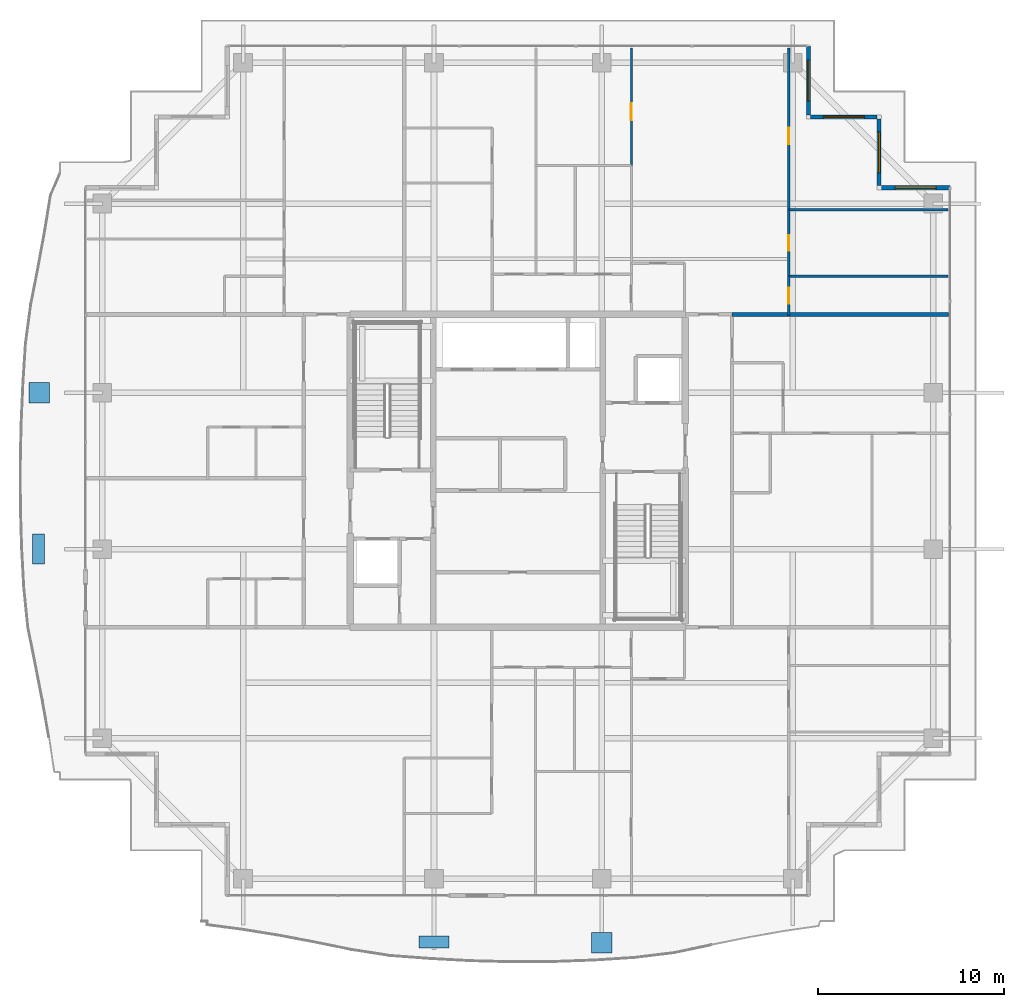
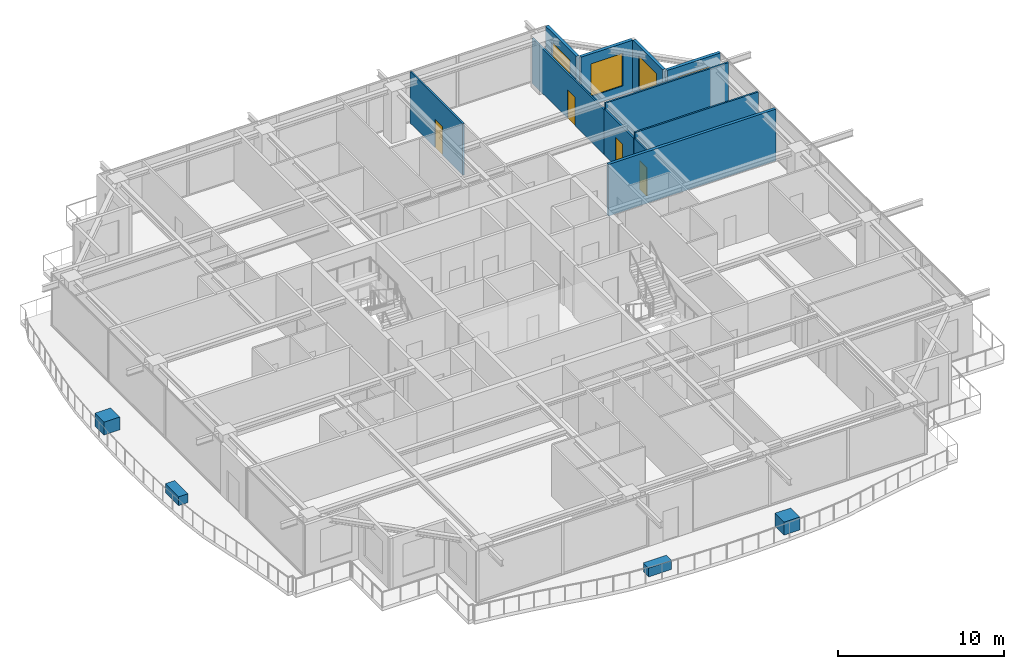
# One storey, part 30 of 37: 11 walls, 4 discrete accessories, 4 doors, 4 windows, 8 openings.
"""IFC4 building model written with IfcOpenShell, lengths in metres."""

from ifc_helpers import new_model, si_unit, direction, frame, frame_2d, origin, origin_2d, place, context, subcontext, project, spatial, rectangle, extrude, source, transform, mapped, material, layer, layer_set, type_object, element, fill, save


model = new_model("IFC4")

# Units and contexts
model_context = context("Model", 3, precision=1e-05, world=origin(), true_north=direction((0.0, 1.0)))
body_context = subcontext(model_context, "Body", "Model", "MODEL_VIEW")
ifc_project = project(units=[si_unit("LENGTHUNIT", "METRE"), si_unit("AREAUNIT", "SQUARE_METRE"), si_unit("VOLUMEUNIT", "CUBIC_METRE"), si_unit("PLANEANGLEUNIT", "RADIAN"), si_unit("MASSUNIT", "GRAM", prefix="KILO")], contexts=[model_context])

# Site, building, storey
site_placement = place(None, origin())
site = spatial("IfcSite", under=ifc_project, at=site_placement, CompositionType="ELEMENT")
building_placement = place(site_placement, origin())
building = spatial("IfcBuilding", under=site, at=building_placement, Name="Serunith Strait Residences", CompositionType="ELEMENT")
storey_placement = place(building_placement, frame((0.0, 0.0, 305.60009765625)))
storey = spatial("IfcBuildingStorey", under=building, at=storey_placement, Name="L76", CompositionType="ELEMENT", Elevation=305.60009765625)

# Wall, opening, window
ifc_material_1 = material(Name="Pale-Champagne Aluminium Insulated Panel", Category="aluminium")
ifc_layer_1 = layer(ifc_material_1, 0.219970703125, Name="Pale-Champagne Aluminium Insulated Panel")
ifc_layer_set_1 = layer_set([ifc_layer_1], Name="Pale-Champagne Aluminium Insulated Panel")
wall_type_1 = type_object("IfcWallType", Name="EW-ALUM-220", PredefinedType="ELEMENTEDWALL", material=ifc_layer_set_1)
wall_1_placement = place(storey_placement, frame((55.60009765625, 40.39990234375, 0.0), z_axis=(0.0, 0.0, 1.0), x_axis=(-1.0, 0.0, 0.0)))
wall_1 = element("IfcWall", 1, at=wall_1_placement, inside=storey, type_object=wall_type_1, Name="L76 Girih Serrated Corner Wall 07", PredefinedType="ELEMENTEDWALL", context=body_context, shape_type="SweptSolid", body=[
    extrude(rectangle(XDim=3.690185546875, YDim=0.219970703125, at=frame_2d((1.84521484375, 0.0))), origin(), (0.0, 0.0, 1.0), 3.77490234375),
])
opening_1_placement = place(wall_1_placement, frame((0.7451171875, 0.0, 0.64990234375)))
opening_1 = element("IfcOpeningElement", 2, at=opening_1_placement, cuts=wall_1, Name="Opening W-06", PredefinedType="OPENING", context=body_context, shape_type="SweptSolid", body=[
    extrude(rectangle(XDim=2.199951171875, YDim=2.39990234375, at=frame_2d((1.10009765625, 1.199951171875))), frame((0.0, 0.1201171875, 0.0), z_axis=(0.0, -1.0, 0.0), x_axis=(1.0, 0.0, 0.0)), (0.0, 0.0, 1.0), 0.239990234375),
])
ifc_material_2 = material(Name="Crown Penthouse Low-E Operable Window Glass", Category="glass")
window_type = type_object("IfcWindowType", Name="WIN-C6", PartitioningType="TRIPLE_PANEL_VERTICAL", PredefinedType="WINDOW", material=ifc_material_2)
shared_shape_1 = source(origin(), body_context, "Body", "SweptSolid", [
    extrude(rectangle(XDim=2.199951171875, YDim=2.39990234375, at=frame_2d((1.10009765625, 1.199951171875))), frame((0.0, 0.030029296875, 0.0), z_axis=(0.0, -1.0, 0.0), x_axis=(1.0, 0.0, 0.0)), (0.0, 0.0, 1.0), 0.06005859375),
])
window_1_placement = place(opening_1_placement, origin())
window_1 = element("IfcWindow", 3, at=window_1_placement, inside=storey, type_object=window_type, Name="L76 Corner Operable Fritted Window 07", OverallHeight=2.39990234375, OverallWidth=2.199951171875, PartitioningType="SINGLE_PANEL", PredefinedType="WINDOW", context=body_context, shape_type="MappedRepresentation", body=[
    mapped(shared_shape_1, transform((0.0, 0.0, 0.0), scale=1.0)),
])
fill(opening_1, window_1)

wall_2_placement = place(storey_placement, frame((51.800048828125, 40.510009765625, 0.0), z_axis=(0.0, 0.0, 1.0), x_axis=(0.0, 1.0, 0.0)))
wall_2 = element("IfcWall", 4, at=wall_2_placement, inside=storey, type_object=wall_type_1, Name="L76 Girih Serrated Corner Wall 08", PredefinedType="ELEMENTEDWALL", context=body_context, shape_type="SweptSolid", body=[
    extrude(rectangle(XDim=3.580078125, YDim=0.219970703125, at=frame_2d((1.7900390625, 0.0))), origin(), (0.0, 0.0, 1.0), 3.77490234375),
])
opening_2_placement = place(wall_2_placement, frame((0.68994140625, 0.0, 0.64990234375)))
opening_2 = element("IfcOpeningElement", 5, at=opening_2_placement, cuts=wall_2, Name="Opening W-06", PredefinedType="OPENING", context=body_context, shape_type="SweptSolid", body=[
    extrude(rectangle(XDim=2.199951171875, YDim=2.39990234375, at=frame_2d((1.10009765625, 1.199951171875))), frame((0.0, 0.1201171875, 0.0), z_axis=(0.0, -1.0, 0.0), x_axis=(1.0, 0.0, 0.0)), (0.0, 0.0, 1.0), 0.239990234375),
])
window_2_placement = place(opening_2_placement, origin())
window_2 = element("IfcWindow", 6, at=window_2_placement, inside=storey, type_object=window_type, Name="L76 Corner Operable Fritted Window 08", OverallHeight=2.39990234375, OverallWidth=2.199951171875, PartitioningType="SINGLE_PANEL", PredefinedType="WINDOW", context=body_context, shape_type="MappedRepresentation", body=[
    mapped(shared_shape_1, transform((0.0, 0.0, 0.0), scale=1.0)),
])
fill(opening_2, window_2)

wall_3_placement = place(storey_placement, frame((51.68994140625, 44.199951171875, 0.0), z_axis=(0.0, 0.0, 1.0), x_axis=(-1.0, 0.0, 0.0)))
wall_3 = element("IfcWall", 7, at=wall_3_placement, inside=storey, type_object=wall_type_1, Name="L76 Girih Serrated Corner Wall 09", PredefinedType="ELEMENTEDWALL", context=body_context, shape_type="SweptSolid", body=[
    extrude(rectangle(XDim=3.579833984375, YDim=0.219970703125, at=frame_2d((1.7900390625, 0.0))), origin(), (0.0, 0.0, 1.0), 3.77490234375),
])
opening_3_placement = place(wall_3_placement, frame((0.68994140625, 0.0, 0.64990234375)))
opening_3 = element("IfcOpeningElement", 8, at=opening_3_placement, cuts=wall_3, Name="Opening W-06", PredefinedType="OPENING", context=body_context, shape_type="SweptSolid", body=[
    extrude(rectangle(XDim=2.199951171875, YDim=2.39990234375, at=frame_2d((1.10009765625, 1.199951171875))), frame((0.0, 0.1201171875, 0.0), z_axis=(0.0, -1.0, 0.0), x_axis=(1.0, 0.0, 0.0)), (0.0, 0.0, 1.0), 0.239990234375),
])
window_3_placement = place(opening_3_placement, origin())
window_3 = element("IfcWindow", 9, at=window_3_placement, inside=storey, type_object=window_type, Name="L76 Corner Operable Fritted Window 09", OverallHeight=2.39990234375, OverallWidth=2.199951171875, PartitioningType="SINGLE_PANEL", PredefinedType="WINDOW", context=body_context, shape_type="MappedRepresentation", body=[
    mapped(shared_shape_1, transform((0.0, 0.0, 0.0), scale=1.0)),
])
fill(opening_3, window_3)

wall_4_placement = place(storey_placement, frame((48.0, 44.31005859375, 0.0), z_axis=(0.0, 0.0, 1.0), x_axis=(0.0, 1.0, 0.0)))
wall_4 = element("IfcWall", 10, at=wall_4_placement, inside=storey, type_object=wall_type_1, Name="L76 Girih Serrated Corner Wall 10", PredefinedType="ELEMENTEDWALL", context=body_context, shape_type="SweptSolid", body=[
    extrude(rectangle(XDim=3.68994140625, YDim=0.219970703125, at=frame_2d((1.844970703125, 0.0))), origin(), (0.0, 0.0, 1.0), 3.77490234375),
])
opening_4_placement = place(wall_4_placement, frame((0.7451171875, 0.0, 0.64990234375)))
opening_4 = element("IfcOpeningElement", 11, at=opening_4_placement, cuts=wall_4, Name="Opening W-06", PredefinedType="OPENING", context=body_context, shape_type="SweptSolid", body=[
    extrude(rectangle(XDim=2.199951171875, YDim=2.39990234375, at=frame_2d((1.10009765625, 1.199951171875))), frame((0.0, 0.1201171875, 0.0), z_axis=(0.0, -1.0, 0.0), x_axis=(1.0, 0.0, 0.0)), (0.0, 0.0, 1.0), 0.239990234375),
])
window_4_placement = place(opening_4_placement, origin())
window_4 = element("IfcWindow", 12, at=window_4_placement, inside=storey, type_object=window_type, Name="L76 Corner Operable Fritted Window 10", OverallHeight=2.39990234375, OverallWidth=2.199951171875, PartitioningType="SINGLE_PANEL", PredefinedType="WINDOW", context=body_context, shape_type="MappedRepresentation", body=[
    mapped(shared_shape_1, transform((0.0, 0.0, 0.0), scale=1.0)),
])
fill(opening_4, window_4)

# Wall, opening, door
ifc_material_3 = material(Name="Lightweight steel-stud gypsum partition", Category="steel")
ifc_layer_2 = layer(ifc_material_3, 0.1201171875, Name="Lightweight steel-stud gypsum partition")
ifc_layer_set_2 = layer_set([ifc_layer_2], Name="Lightweight steel-stud gypsum partition")
wall_type_2 = type_object("IfcWallType", Name="IW-PART-120", PredefinedType="PARTITIONING", material=ifc_layer_set_2)
wall_5_placement = place(storey_placement, frame((38.5, 47.905029296875, 0.0), z_axis=(0.0, 0.0, 1.0), x_axis=(0.0, -1.0, 0.0)))
wall_5 = element("IfcWall", 13, at=wall_5_placement, inside=storey, type_object=wall_type_2, Name="L76 Partition Wall 063", PredefinedType="PARTITIONING", context=body_context, shape_type="SweptSolid", body=[
    extrude(rectangle(XDim=6.30810546875, YDim=0.1201171875, at=frame_2d((3.154052734375, 0.0))), origin(), (0.0, 0.0, 1.0), 3.789794921875),
])
opening_5_placement = place(wall_5_placement, frame((2.97412109375, 0.0, 0.0)))
opening_5 = element("IfcOpeningElement", 14, at=opening_5_placement, cuts=wall_5, Name="Opening D-RM900", PredefinedType="OPENING", context=body_context, shape_type="SweptSolid", body=[
    extrude(rectangle(XDim=0.89990234375, YDim=2.10009765625, at=frame_2d((0.449951171875, 1.050048828125))), frame((0.0, 0.070068359375, 0.0), z_axis=(0.0, -1.0, 0.0), x_axis=(1.0, 0.0, 0.0)), (0.0, 0.0, 1.0), 0.14013671875),
])
ifc_material_4 = material(Name="Engineered timber flush bedroom door", Category="wood")
door_type_1 = type_object("IfcDoorType", Name="ID-ROOM-900", OperationType="NOTDEFINED", PredefinedType="DOOR", material=ifc_material_4)
shared_shape_2 = source(origin(), body_context, "Body", "SweptSolid", [
    extrude(rectangle(XDim=0.89990234375, YDim=2.10009765625, at=frame_2d((0.449951171875, 1.050048828125))), frame((0.0, 0.02490234375, 0.0), z_axis=(0.0, -1.0, 0.0), x_axis=(1.0, 0.0, 0.0)), (0.0, 0.0, 1.0), 0.050048828125),
])
door_1_placement = place(opening_5_placement, origin())
door_1 = element("IfcDoor", 15, at=door_1_placement, inside=storey, type_object=door_type_1, Name="L76 Formal Dining Room 1 7603 Door", OperationType="SINGLE_SWING_LEFT", OverallHeight=2.10009765625, OverallWidth=0.89990234375, PredefinedType="DOOR", context=body_context, shape_type="MappedRepresentation", body=[
    mapped(shared_shape_2, transform((0.0, 0.0, 0.0), scale=1.0)),
])
fill(opening_5, door_1)

wall_6_placement = place(storey_placement, frame((46.949951171875, 47.905029296875, 0.0), z_axis=(0.0, 0.0, 1.0), x_axis=(0.0, -1.0, 0.0)))
wall_6 = element("IfcWall", 16, at=wall_6_placement, inside=storey, type_object=wall_type_2, Name="L76 Partition Wall 076", PredefinedType="PARTITIONING", context=body_context, shape_type="SweptSolid", body=[
    extrude(rectangle(XDim=8.68798828125, YDim=0.1201171875, at=frame_2d((4.343994140625, 0.0))), origin(), (0.0, 0.0, 1.0), 3.2919921875),
])
opening_6_placement = place(wall_6_placement, frame((4.282958984375, 0.0, 0.0)))
opening_6 = element("IfcOpeningElement", 17, at=opening_6_placement, cuts=wall_6, Name="Opening D-RM900", PredefinedType="OPENING", context=body_context, shape_type="SweptSolid", body=[
    extrude(rectangle(XDim=0.89990234375, YDim=2.10009765625, at=frame_2d((0.449951171875, 1.050048828125))), frame((0.0, 0.070068359375, 0.0), z_axis=(0.0, -1.0, 0.0), x_axis=(1.0, 0.0, 0.0)), (0.0, 0.0, 1.0), 0.14013671875),
])
door_2_placement = place(opening_6_placement, origin())
door_2 = element("IfcDoor", 18, at=door_2_placement, inside=storey, type_object=door_type_1, Name="L76 Bedroom 3 7603 Door", OperationType="SINGLE_SWING_LEFT", OverallHeight=2.10009765625, OverallWidth=0.89990234375, PredefinedType="DOOR", context=body_context, shape_type="MappedRepresentation", body=[
    mapped(shared_shape_2, transform((0.0, 0.0, 0.0), scale=1.0)),
])
fill(opening_6, door_2)

# Walls
for number, where, z_axis, x_axis, name in (
    (19, (46.949951171875, 39.217041015625, 0.0), (0.0, 0.0, 1.0), (1.0, 0.0, 0.0), "L76 Partition Wall 077"),
    (20, (46.949951171875, 35.64990234375, 0.0), (0.0, 0.0, 1.0), (1.0, 0.0, 0.0), "L76 Partition Wall 078"),
):
    element("IfcWall", number, at=place(storey_placement, frame(where, z_axis=z_axis, x_axis=x_axis)), inside=storey, type_object=wall_type_2, Name=name, PredefinedType="PARTITIONING", context=body_context, shape_type="SweptSolid", body=[
        extrude(rectangle(XDim=8.554931640625, YDim=0.1201171875, at=frame_2d((4.27734375, 0.0))), origin(), (0.0, 0.0, 1.0), 3.789794921875),
    ])

# Wall, opening, door
wall_7_placement = place(storey_placement, frame((46.949951171875, 39.215087890625, 0.0), z_axis=(0.0, 0.0, 1.0), x_axis=(0.0, -1.0, 0.0)))
wall_7 = element("IfcWall", 21, at=wall_7_placement, inside=storey, type_object=wall_type_2, Name="L76 Partition Wall 079", PredefinedType="PARTITIONING", context=body_context, shape_type="SweptSolid", body=[
    extrude(rectangle(XDim=3.565185546875, YDim=0.1201171875, at=frame_2d((1.78271484375, 0.0))), origin(), (0.0, 0.0, 1.0), 3.371826171875),
])
opening_7_placement = place(wall_7_placement, frame((1.35791015625, 0.0, 0.0)))
opening_7 = element("IfcOpeningElement", 22, at=opening_7_placement, cuts=wall_7, Name="Opening D-RM850", PredefinedType="OPENING", context=body_context, shape_type="SweptSolid", body=[
    extrude(rectangle(XDim=0.85009765625, YDim=2.10009765625, at=frame_2d((0.425048828125, 1.050048828125))), frame((0.0, 0.070068359375, 0.0), z_axis=(0.0, -1.0, 0.0), x_axis=(1.0, 0.0, 0.0)), (0.0, 0.0, 1.0), 0.14013671875),
])
ifc_material_5 = material(Name="Engineered timber flush study and kitchen door", Category="wood")
door_type_2 = type_object("IfcDoorType", Name="ID-ROOM-850", OperationType="NOTDEFINED", PredefinedType="DOOR", material=ifc_material_5)
shared_shape_3 = source(origin(), body_context, "Body", "SweptSolid", [
    extrude(rectangle(XDim=0.85009765625, YDim=2.10009765625, at=frame_2d((0.425048828125, 1.050048828125))), frame((0.0, 0.02490234375, 0.0), z_axis=(0.0, -1.0, 0.0), x_axis=(1.0, 0.0, 0.0)), (0.0, 0.0, 1.0), 0.050048828125),
])
door_3_placement = place(opening_7_placement, origin())
door_3 = element("IfcDoor", 23, at=door_3_placement, inside=storey, type_object=door_type_2, Name="L76 Walk-in Wardrobe 7603 Door", OperationType="SINGLE_SWING_RIGHT", OverallHeight=2.10009765625, OverallWidth=0.85009765625, PredefinedType="DOOR", context=body_context, shape_type="MappedRepresentation", body=[
    mapped(shared_shape_3, transform((0.0, 0.0, 0.0), scale=1.0)),
])
fill(opening_7, door_3)

wall_8_placement = place(storey_placement, frame((46.949951171875, 35.64794921875, 0.0), z_axis=(0.0, 0.0, 1.0), x_axis=(0.0, -1.0, 0.0)))
wall_8 = element("IfcWall", 24, at=wall_8_placement, inside=storey, type_object=wall_type_2, Name="L76 Partition Wall 080", PredefinedType="PARTITIONING", context=body_context, shape_type="SweptSolid", body=[
    extrude(rectangle(XDim=2.10791015625, YDim=0.1201171875, at=frame_2d((1.053955078125, 0.0))), origin(), (0.0, 0.0, 1.0), 3.371826171875),
])
opening_8_placement = place(wall_8_placement, frame((0.62890625, 0.0, 0.0)))
opening_8 = element("IfcOpeningElement", 25, at=opening_8_placement, cuts=wall_8, Name="Opening D-BTH850", PredefinedType="OPENING", context=body_context, shape_type="SweptSolid", body=[
    extrude(rectangle(XDim=0.85009765625, YDim=2.10009765625, at=frame_2d((0.425048828125, 1.050048828125))), frame((0.0, 0.070068359375, 0.0), z_axis=(0.0, -1.0, 0.0), x_axis=(1.0, 0.0, 0.0)), (0.0, 0.0, 1.0), 0.14013671875),
])
ifc_material_6 = material(Name="Moisture-resistant timber bathroom door", Category="wood")
door_type_3 = type_object("IfcDoorType", Name="ID-BATH-850", OperationType="NOTDEFINED", PredefinedType="DOOR", material=ifc_material_6)
door_4_placement = place(opening_8_placement, origin())
door_4 = element("IfcDoor", 26, at=door_4_placement, inside=storey, type_object=door_type_3, Name="L76 Bathroom 7603 Door", OperationType="SINGLE_SWING_LEFT", OverallHeight=2.10009765625, OverallWidth=0.85009765625, PredefinedType="DOOR", context=body_context, shape_type="MappedRepresentation", body=[
    mapped(shared_shape_3, transform((0.0, 0.0, 0.0), scale=1.0)),
])
fill(opening_8, door_4)

# Wall
ifc_material_7 = material(Name="Twin-stud acoustic gypsum board partition")
ifc_layer_3 = layer(ifc_material_7, 0.199951171875, Name="Twin-stud acoustic gypsum board partition")
ifc_layer_set_3 = layer_set([ifc_layer_3], Name="Twin-stud acoustic gypsum board partition")
wall_type_3 = type_object("IfcWallType", Name="IW-PARTY-200", PredefinedType="PARTITIONING", material=ifc_layer_set_3)
wall_9_placement = place(storey_placement, frame((43.89990234375, 33.60009765625, 0.0), z_axis=(0.0, 0.0, 1.0), x_axis=(1.0, 0.0, 0.0)))
element("IfcWall", 27, at=wall_9_placement, inside=storey, type_object=wall_type_3, Name="L76 Partition Wall 023", PredefinedType="PARTITIONING", context=body_context, shape_type="SweptSolid", body=[
    extrude(rectangle(XDim=11.6181640625, YDim=0.199951171875, at=frame_2d((5.80908203125, 0.0))), origin(), (0.0, 0.0, 1.0), 3.789794921875),
])

# Discrete accessories
ifc_material_8 = material(Name="GFRC Root-Anchored Structural Planter")
discrete_accessory_type_1 = type_object("IfcDiscreteAccessoryType", Name="ACC-PLANTER-TREE", PredefinedType="USERDEFINED", material=ifc_material_8)
shared_shape_4 = source(origin(), body_context, "Body", "SweptSolid", [
    extrude(rectangle(XDim=1.10009765625, YDim=1.10009765625, at=origin_2d()), origin(), (0.0, 0.0, 1.0), 0.949951171875),
])
for number, where, z_axis, x_axis, name in (
    (28, (36.89990234375, -0.14453125, -0.05029296875), (0.0, 0.0, 1.0), (1.0, 0.0, 0.0), "L76 Vertical-Forest Tree Planter 03"),
    (29, (6.72021484375, 29.39990234375, -0.05029296875), (0.0, 0.0, 1.0), (0.0, -1.0, 0.0), "L76 Vertical-Forest Tree Planter 15"),
):
    element("IfcDiscreteAccessory", number, at=place(storey_placement, frame(where, z_axis=z_axis, x_axis=x_axis)), inside=storey, type_object=discrete_accessory_type_1, Name=name, ObjectType="PLANTER", PredefinedType="USERDEFINED", context=body_context, shape_type="MappedRepresentation", body=[
        mapped(shared_shape_4, transform((0.0, 0.0, 0.0), scale=1.0)),
    ])
ifc_material_9 = material(Name="GFRC Irrigated Shrub Trough Planter")
discrete_accessory_type_2 = type_object("IfcDiscreteAccessoryType", Name="ACC-PLANTER-SHRUB", PredefinedType="USERDEFINED", material=ifc_material_9)
shared_shape_5 = source(origin(), body_context, "Body", "SweptSolid", [
    extrude(rectangle(XDim=1.60009765625, YDim=0.64990234375, at=origin_2d()), origin(), (0.0, 0.0, 1.0), 0.64990234375),
])
for number, where, z_axis, x_axis, name in (
    (30, (27.89990234375, -0.098388671875, -0.050048828125), (0.0, 0.0, 1.0), (1.0, 0.0, 0.0), "L76 Vertical-Forest Shrub Planter 02"),
    (31, (6.678466796875, 21.0, -0.050048828125), (0.0, 0.0, 1.0), (0.0, -1.0, 0.0), "L76 Vertical-Forest Shrub Planter 14"),
):
    element("IfcDiscreteAccessory", number, at=place(storey_placement, frame(where, z_axis=z_axis, x_axis=x_axis)), inside=storey, type_object=discrete_accessory_type_2, Name=name, ObjectType="PLANTER", PredefinedType="USERDEFINED", context=body_context, shape_type="MappedRepresentation", body=[
        mapped(shared_shape_5, transform((0.0, 0.0, 0.0), scale=1.0)),
    ])

save(model, "model.ifc")
